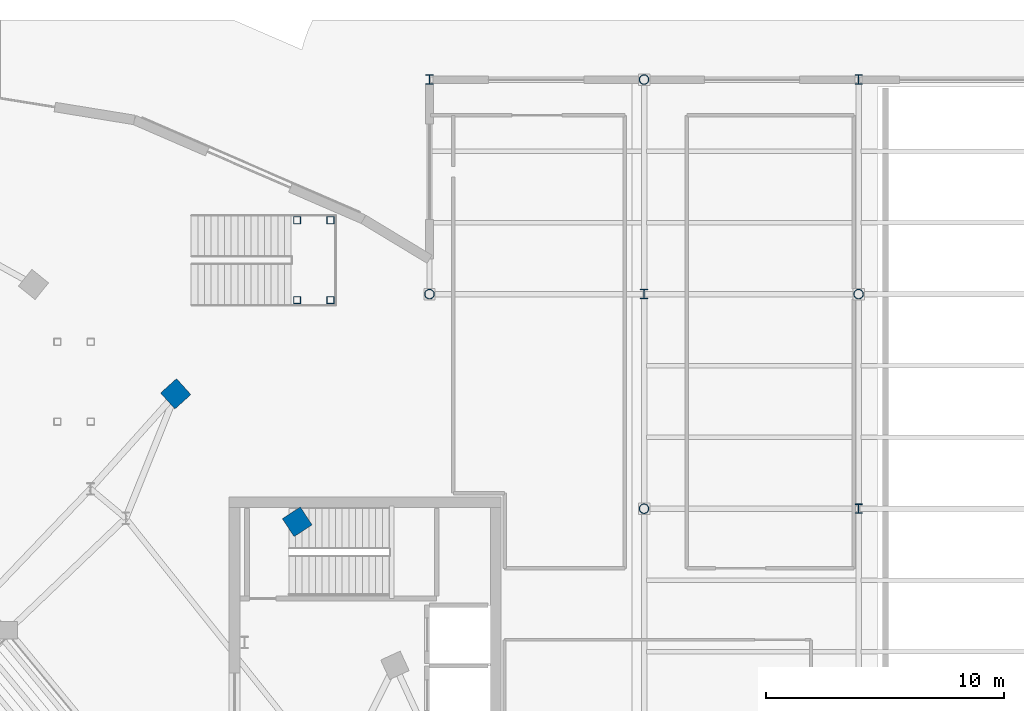
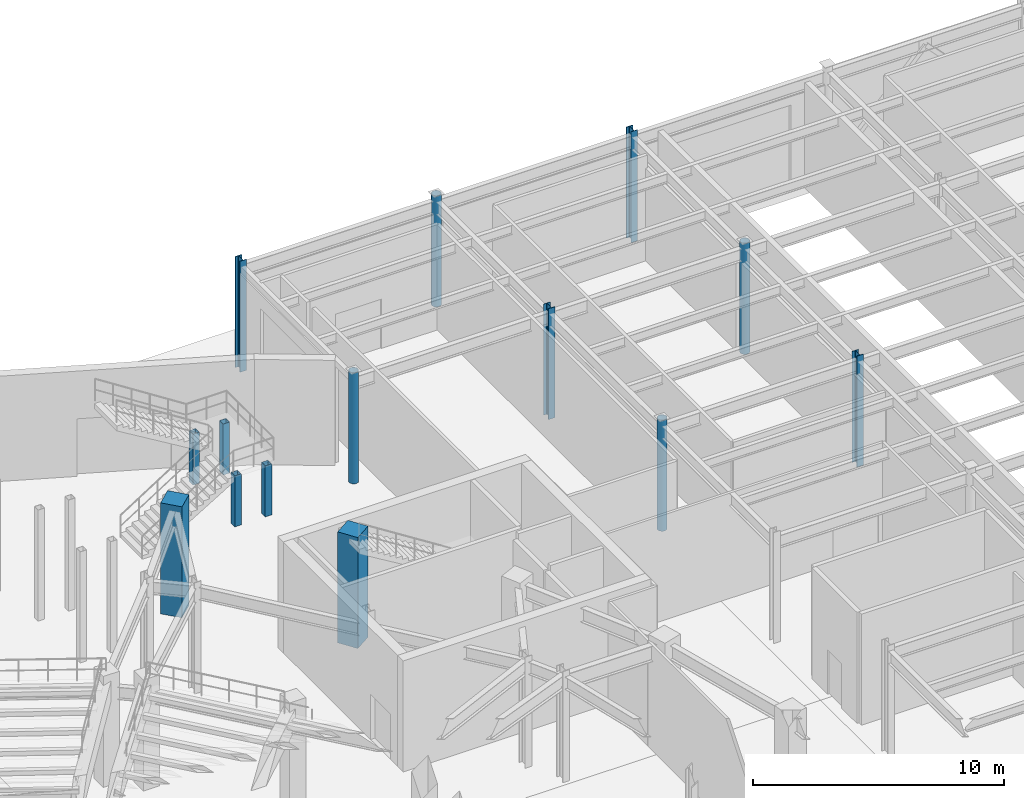
# One storey, part 20 of 79: 14 columns.
"""IFC4 building model written with IfcOpenShell, lengths in metres."""

import ifcopenshell
import ifcopenshell.guid

model = None  # the IFC model being written
_history = None  # IfcOwnerHistory: only IFC2X3 demands one
_inside = {}  # id of a spatial element -> (the spatial element, [elements in it])
_under = {}  # id of a project, library or spatial element -> (it, [spatial elements below it])
_declared = {}  # id of a project -> (the project, [libraries it declares])
_typed = {}  # id of a type object -> (the type object, [elements of that type])
_made_of = {}  # id of a material, layer set ... -> (it, [elements and type objects made of it])


def new_model(schema):
    """Start an empty IFC model of exactly this schema.

    Asked for "IFC4X3", IfcOpenShell would pick the latest addendum, in which some entities
    have other attributes; the version numbers below select the first issue.
    IFC2X3 requires an IfcOwnerHistory on every rooted entity: one is made here for all.
    """
    global model, _history
    if schema == "IFC4X3":
        model = ifcopenshell.file(schema_version=(4, 3, 0, 0))
    else:
        model = ifcopenshell.file(schema=schema)
    _inside.clear()
    _under.clear()
    _declared.clear()
    _typed.clear()
    _made_of.clear()
    _history = None
    if model.schema == "IFC2X3":
        org = make("IfcOrganization", Name="unknown")
        user = make(
            "IfcPersonAndOrganization",
            ThePerson=make("IfcPerson", FamilyName="unknown"),
            TheOrganization=org,
        )
        app = make(
            "IfcApplication",
            ApplicationDeveloper=org,
            Version="unknown",
            ApplicationFullName="unknown",
            ApplicationIdentifier="unknown",
        )
        _history = make(
            "IfcOwnerHistory",
            OwningUser=user,
            OwningApplication=app,
            ChangeAction="ADDED",
            CreationDate=0,
        )
    return model


def make(cls, **values):
    """One entity of the class cls with the attributes given. An attribute that is None is left unset."""
    return model.create_entity(
        cls, **{name: value for name, value in values.items() if value is not None}
    )


def rooted(cls, **values):
    """An entity with a GlobalId (a new one), such as an element, a storey or a relation."""
    return make(cls, GlobalId=ifcopenshell.guid.new(), OwnerHistory=_history, **values)


def si_unit(unit_type, name, prefix=None):
    """IfcSIUnit, for example si_unit("LENGTHUNIT", "METRE", prefix="MILLI")."""
    return make("IfcSIUnit", UnitType=unit_type, Prefix=prefix, Name=name)


def assignment(units):
    """IfcUnitAssignment: the units of a project."""
    return None if units is None else make("IfcUnitAssignment", Units=units)


def point(xyz):
    """IfcCartesianPoint."""
    return None if xyz is None else make("IfcCartesianPoint", Coordinates=xyz)


def direction(xyz):
    """IfcDirection."""
    return None if xyz is None else make("IfcDirection", DirectionRatios=xyz)


def frame(location, z_axis=None, x_axis=None):
    """IfcAxis2Placement3D, a coordinate frame: its origin and axes. An axis left out is left unset."""
    return make(
        "IfcAxis2Placement3D",
        Location=point(location),
        Axis=direction(z_axis),
        RefDirection=direction(x_axis),
    )


def frame_2d(location, x_axis=None):
    """IfcAxis2Placement2D, a coordinate frame in the plane: its origin and x axis."""
    return make(
        "IfcAxis2Placement2D", Location=point(location), RefDirection=direction(x_axis)
    )


def origin():
    """The frame at (0, 0, 0) with its axes left unset."""
    return frame((0.0, 0.0, 0.0))


def origin_2d():
    """The frame at (0, 0) in the plane with its x axis left unset."""
    return frame_2d((0.0, 0.0))


def place(relative_to, where):
    """IfcLocalPlacement: puts the frame where relative to a parent placement (None: the world)."""
    return make(
        "IfcLocalPlacement", PlacementRelTo=relative_to, RelativePlacement=where
    )


def context(
    kind, dimensions, precision=None, world=None, true_north=None, identifier=None
):
    """IfcGeometricRepresentationContext, for example the 3D "Model" context."""
    return make(
        "IfcGeometricRepresentationContext",
        ContextIdentifier=identifier,
        ContextType=kind,
        CoordinateSpaceDimension=dimensions,
        Precision=precision,
        WorldCoordinateSystem=world,
        TrueNorth=true_north,
    )


def subcontext(parent, identifier, kind, view, scale=None):
    """IfcGeometricRepresentationSubContext, for example "Body" below "Model"."""
    return make(
        "IfcGeometricRepresentationSubContext",
        ContextIdentifier=identifier,
        ContextType=kind,
        ParentContext=parent,
        TargetScale=scale,
        TargetView=view,
    )


def project(units=None, contexts=None):
    """IfcProject with its units and contexts."""
    return rooted(
        "IfcProject",
        Name="project",
        RepresentationContexts=contexts,
        UnitsInContext=assignment(units),
    )


def spatial(cls, under=None, at=None, **own):
    """A site, building, storey or space (cls), placed at a placement, below another one or the project."""
    s = rooted(cls, ObjectPlacement=at, **own)
    if under is not None:
        _under.setdefault(under.id(), (under, []))[1].append(s)
    return s


def profile(cls, at=None, kind="AREA", **sizes):
    """A parametric profile (cls). Its sizes go by their IFC names, for example OverallWidth=200.0."""
    return make(cls, ProfileType=kind, Position=at, **sizes)


def rectangle(**sizes):
    """IfcRectangleProfileDef."""
    return profile("IfcRectangleProfileDef", **sizes)


def hollow_rectangle(**sizes):
    """IfcRectangleHollowProfileDef."""
    return profile("IfcRectangleHollowProfileDef", **sizes)


def hollow_circle(**sizes):
    """IfcCircleHollowProfileDef."""
    return profile("IfcCircleHollowProfileDef", **sizes)


def i_section(**sizes):
    """IfcIShapeProfileDef."""
    return profile("IfcIShapeProfileDef", **sizes)


def extrude(swept, where, along, depth):
    """IfcExtrudedAreaSolid: the profile swept, set in the frame where, extruded along a direction by depth."""
    return make(
        "IfcExtrudedAreaSolid",
        SweptArea=swept,
        Position=where,
        ExtrudedDirection=direction(along),
        Depth=depth,
    )


def shape(context_of_items, identifier, shape_type, items):
    """IfcShapeRepresentation: the items that make up one representation, for example the "Body"."""
    return make(
        "IfcShapeRepresentation",
        ContextOfItems=context_of_items,
        RepresentationIdentifier=identifier,
        RepresentationType=shape_type,
        Items=items,
    )


def material(Name=None, Category=None):
    """IfcMaterial."""
    return make("IfcMaterial", Name=Name, Category=Category)


def material_profile(
    of_material, cross_section, Name=None, Category=None, Priority=None
):
    """IfcMaterialProfile: a cross section and its material."""
    return make(
        "IfcMaterialProfile",
        Name=Name,
        Material=of_material,
        Profile=cross_section,
        Priority=Priority,
        Category=Category,
    )


def profile_set(profiles, Name=None, composite=None):
    """IfcMaterialProfileSet."""
    return make(
        "IfcMaterialProfileSet",
        Name=Name,
        MaterialProfiles=profiles,
        CompositeProfile=composite,
    )


def made_of(thing, what):
    """Note that an element or type object is made of a material, layer set ...; save() writes the relation."""
    if what is not None:
        _made_of.setdefault(what.id(), (what, []))[1].append(thing)
    return thing


def type_object(cls, material=None, **own):
    """A type object (cls), such as IfcWallType, which elements share."""
    return made_of(rooted(cls, **own), material)


def element(
    cls,
    number,
    at=None,
    inside=None,
    cuts=None,
    type_object=None,
    material=None,
    context=None,
    identifier="Body",
    shape_type=None,
    held_by="IfcProductDefinitionShape",
    body=None,
    shapes=None,
    **own,
):
    """One element of the class cls, such as IfcWall. Its Tag is "e" and its number.

    at: its placement. inside: the storey or other place that contains it. cuts: it is an
    opening in that element (IfcRelVoidsElement). A single representation is given by context,
    identifier, shape_type and body (its items); several are given by shapes. held_by: the class
    of the entity that holds the representations. save() writes the other relations.
    """
    e = rooted(cls, Tag="e%d" % number, ObjectPlacement=at, **own)
    if body is not None:
        shapes = [shape(context, identifier, shape_type, body)]
    if shapes is not None:
        e.Representation = make(held_by, Representations=shapes)
    if inside is not None:
        _inside.setdefault(inside.id(), (inside, []))[1].append(e)
    if cuts is not None:
        rooted(
            "IfcRelVoidsElement", RelatingBuildingElement=cuts, RelatedOpeningElement=e
        )
    if type_object is not None:
        _typed.setdefault(type_object.id(), (type_object, []))[1].append(e)
    return made_of(e, material)


def aggregate(whole, parts):
    """IfcRelAggregates: a whole, such as a stair, and the parts it consists of."""
    return rooted("IfcRelAggregates", RelatingObject=whole, RelatedObjects=parts)


def save(model, path):
    """Write the relations noted so far, then the file.

    IfcRelAggregates (storeys below a building ...), IfcRelContainedInSpatialStructure (elements
    in a storey), IfcRelDefinesByType, IfcRelAssociatesMaterial and IfcRelDeclares: one each for
    every whole, place, type object, material and project.
    """
    for whole, parts in _under.values():
        aggregate(whole, parts)
    for where, things in _inside.values():
        rooted(
            "IfcRelContainedInSpatialStructure",
            RelatedElements=things,
            RelatingStructure=where,
        )
    for kind, things in _typed.values():
        rooted("IfcRelDefinesByType", RelatedObjects=things, RelatingType=kind)
    for what, things in _made_of.values():
        rooted("IfcRelAssociatesMaterial", RelatedObjects=things, RelatingMaterial=what)
    for by, libraries in _declared.values():
        rooted("IfcRelDeclares", RelatingContext=by, RelatedDefinitions=libraries)
    model.write(path)


model = new_model("IFC4")

# Units and contexts
model_context = context("Model", 3, precision=1e-05, world=origin(), true_north=direction((0.0, 1.0)))
body_context = subcontext(model_context, "Body", "Model", "MODEL_VIEW")
ifc_project = project(units=[si_unit("LENGTHUNIT", "METRE"), si_unit("AREAUNIT", "SQUARE_METRE"), si_unit("VOLUMEUNIT", "CUBIC_METRE"), si_unit("PLANEANGLEUNIT", "RADIAN"), si_unit("MASSUNIT", "GRAM", prefix="KILO")], contexts=[model_context])

# Site, building, storey
site_placement = place(None, origin())
site = spatial("IfcSite", under=ifc_project, at=site_placement, CompositionType="ELEMENT")
building_placement = place(site_placement, origin())
building = spatial("IfcBuilding", under=site, at=building_placement, Name="Glasvene Arena", CompositionType="ELEMENT")
storey_placement = place(building_placement, origin())
storey = spatial("IfcBuildingStorey", under=building, at=storey_placement, Name="L00", CompositionType="ELEMENT", Elevation=0.0)

# Columns
ifc_material_1 = material(Name="Concrete C40/50", Category="concrete")
ifc_material_profile_1 = material_profile(ifc_material_1, rectangle(XDim=0.89990234375, YDim=0.89990234375, at=origin_2d()), Name="RC 900x900")
ifc_profile_set_1 = profile_set([ifc_material_profile_1], Name="Concrete C40/50")
column_type_1 = type_object("IfcColumnType", Name="COL-BOWL-RC900", PredefinedType="COLUMN", material=ifc_profile_set_1)
for number, where, z_axis, x_axis, name in (
    (1, (132.45068359375, 99.4501953125, 0.0), (0.0, 0.0, 1.0), (0.836955398099, 0.547271104292, 0.0), "Bowl ring column R05 L00"),
    (2, (127.355224609375, 104.81982421875, 0.0), (0.0, 0.0, 1.0), (0.74326159948, 0.669000892928, 0.0), "Bowl ring column R06 L00"),
):
    element("IfcColumn", number, at=place(storey_placement, frame(where, z_axis=z_axis, x_axis=x_axis)), inside=storey, type_object=column_type_1, Name=name, PredefinedType="COLUMN", context=body_context, shape_type="SweptSolid", body=[
        extrude(rectangle(XDim=0.89990234375, YDim=0.89990234375, at=origin_2d()), origin(), (0.0, 0.0, 1.0), 5.39990234375),
    ])
ifc_material_2 = material(Name="Steel S355J2", Category="steel")
ifc_material_profile_2 = material_profile(ifc_material_2, hollow_circle(Radius=0.203125, WallThickness=0.01611328125, at=origin_2d()), Name="CHS 406.4x16.0")
ifc_profile_set_2 = profile_set([ifc_material_profile_2], Name="Steel S355J2")
column_type_2 = type_object("IfcColumnType", Name="COL-W-CHS406", PredefinedType="COLUMN", material=ifc_profile_set_2)
for number, where, z_axis, x_axis, name in (
    (3, (138.0, 109.0, 0.0), (0.0, 0.0, 1.0), (1.0, 0.0, 0.0), "Grid column 16-13 L00"),
    (4, (147.0, 100.0, 0.0), (0.0, 0.0, 1.0), (1.0, 0.0, 0.0), "Grid column 17-12 L00"),
    (5, (147.0, 118.0, 0.0), (0.0, 0.0, 1.0), (1.0, 0.0, 0.0), "Grid column 17-14 L00"),
    (6, (156.0, 109.0, 0.0), (0.0, 0.0, 1.0), (1.0, 0.0, 0.0), "Grid column 18-13 L00"),
):
    element("IfcColumn", number, at=place(storey_placement, frame(where, z_axis=z_axis, x_axis=x_axis)), inside=storey, type_object=column_type_2, Name=name, PredefinedType="COLUMN", context=body_context, shape_type="SweptSolid", body=[
        extrude(hollow_circle(Radius=0.203125, WallThickness=0.01611328125, at=origin_2d()), origin(), (0.0, 0.0, 1.0), 5.39990234375),
    ])
ifc_material_profile_3 = material_profile(ifc_material_2, i_section(OverallWidth=0.300048828125, OverallDepth=0.39990234375, WebThickness=0.013427734375, FlangeThickness=0.02392578125, FilletRadius=0.027099609375, at=origin_2d()), Name="HEB 400")
ifc_profile_set_3 = profile_set([ifc_material_profile_3], Name="Steel S355J2")
column_type_3 = type_object("IfcColumnType", Name="COL-W-HEB400", PredefinedType="COLUMN", material=ifc_profile_set_3)
for number, where, z_axis, x_axis, name in (
    (7, (138.0, 118.0, 0.0), (0.0, 0.0, 1.0), (1.0, 0.0, 0.0), "Grid column 16-14 L00"),
    (8, (147.0, 109.0, 0.0), (0.0, 0.0, 1.0), (1.0, 0.0, 0.0), "Grid column 17-13 L00"),
    (9, (156.0, 100.0, 0.0), (0.0, 0.0, 1.0), (1.0, 0.0, 0.0), "Grid column 18-12 L00"),
    (10, (156.0, 118.0, 0.0), (0.0, 0.0, 1.0), (1.0, 0.0, 0.0), "Grid column 18-14 L00"),
):
    element("IfcColumn", number, at=place(storey_placement, frame(where, z_axis=z_axis, x_axis=x_axis)), inside=storey, type_object=column_type_3, Name=name, PredefinedType="COLUMN", context=body_context, shape_type="SweptSolid", body=[
        extrude(i_section(OverallWidth=0.300048828125, OverallDepth=0.39990234375, WebThickness=0.013427734375, FlangeThickness=0.02392578125, FilletRadius=0.027099609375, at=origin_2d()), origin(), (0.0, 0.0, 1.0), 5.39990234375),
    ])
ifc_material_profile_4 = material_profile(ifc_material_2, hollow_rectangle(XDim=0.300048828125, YDim=0.300048828125, WallThickness=0.012451171875, at=origin_2d()), Name="SHS 300x300x12.5")
ifc_profile_set_4 = profile_set([ifc_material_profile_4], Name="Steel S355J2")
column_type_4 = type_object("IfcColumnType", Name="COL-W-SHS300", PredefinedType="COLUMN", material=ifc_profile_set_4)
for number, where, z_axis, x_axis, name in (
    (11, (132.449951171875, 108.75, 0.0), (0.0, 0.0, 1.0), (1.0, 0.0, 0.0), "Vomitory landing column VOM-04 L00"),
    (12, (132.449951171875, 112.10009765625, 0.0), (0.0, 0.0, 1.0), (1.0, 0.0, 0.0), "Vomitory landing column VOM-04 L00"),
    (13, (133.85009765625, 108.75, 0.0), (0.0, 0.0, 1.0), (1.0, 0.0, 0.0), "Vomitory landing column VOM-04 L00"),
    (14, (133.85009765625, 112.10009765625, 0.0), (0.0, 0.0, 1.0), (1.0, 0.0, 0.0), "Vomitory landing column VOM-04 L00"),
):
    element("IfcColumn", number, at=place(storey_placement, frame(where, z_axis=z_axis, x_axis=x_axis)), inside=storey, type_object=column_type_4, Name=name, PredefinedType="COLUMN", context=body_context, shape_type="SweptSolid", body=[
        extrude(hollow_rectangle(XDim=0.300048828125, YDim=0.300048828125, WallThickness=0.012451171875, at=origin_2d()), origin(), (0.0, 0.0, 1.0), 2.47998046875),
    ])

save(model, "model.ifc")
